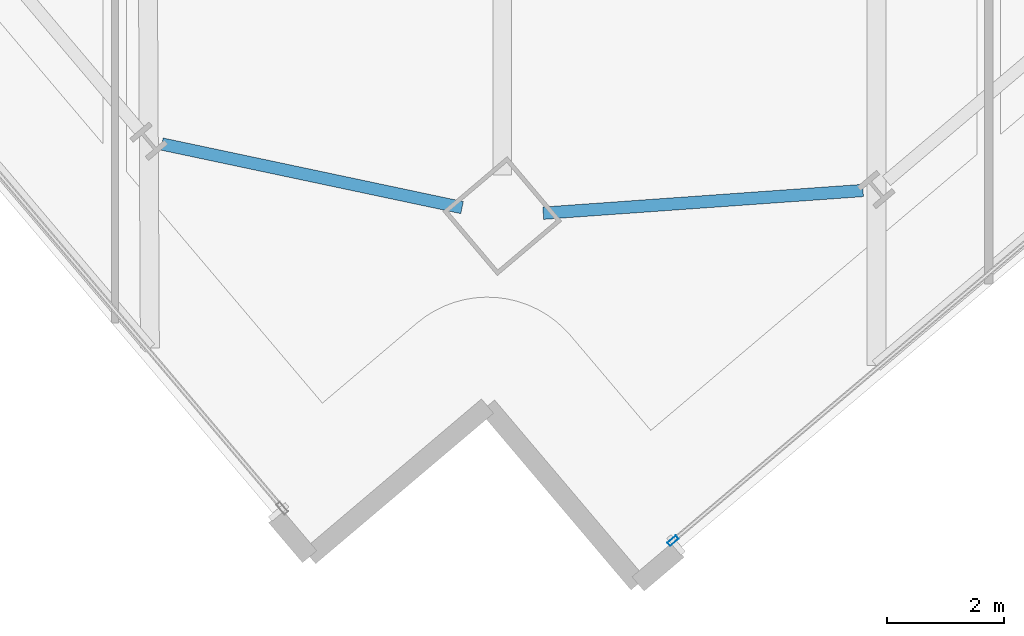
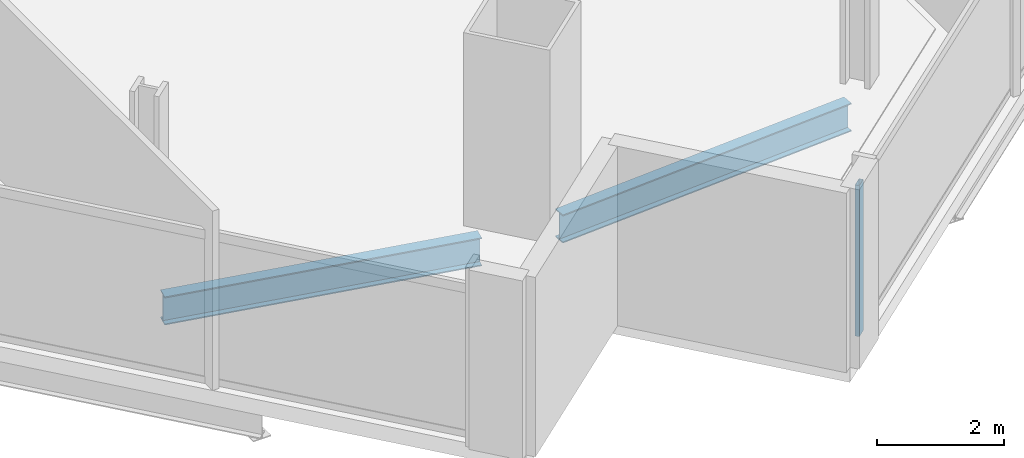
# One storey, part 3 of 34: 2 beams, 1 member, 1 element without a shape of its own.
"""IFC4 building model written with IfcOpenShell, lengths in metres."""

from ifc_helpers import new_model, si_unit, direction, frame, origin, origin_2d, place, context, subcontext, project, spatial, hollow_rectangle, i_section, extrude, material, material_profile, profile_set, type_object, element, aggregate, save


model = new_model("IFC4")

# Units and contexts
model_context = context("Model", 3, precision=1e-05, world=origin(), true_north=direction((0.0, 1.0)))
body_context = subcontext(model_context, "Body", "Model", "MODEL_VIEW")
ifc_project = project(units=[si_unit("LENGTHUNIT", "METRE"), si_unit("AREAUNIT", "SQUARE_METRE"), si_unit("VOLUMEUNIT", "CUBIC_METRE"), si_unit("PLANEANGLEUNIT", "RADIAN"), si_unit("MASSUNIT", "GRAM", prefix="KILO")], contexts=[model_context])

# Site, building, storey
site_placement = place(None, origin())
site = spatial("IfcSite", under=ifc_project, at=site_placement, CompositionType="ELEMENT")
building_placement = place(site_placement, origin())
building = spatial("IfcBuilding", under=site, at=building_placement, Name="Haldenkirk Collegiate Tower", CompositionType="ELEMENT")
storey_placement = place(building_placement, frame((0.0, 0.0, 163.199951171875)))
storey = spatial("IfcBuildingStorey", under=building, at=storey_placement, Name="L40", CompositionType="ELEMENT", Elevation=163.199951171875)

# Beams
ifc_material_1 = material(Name="Steel ASTM A992 Grade 50", Category="steel")
ifc_material_profile_1 = material_profile(ifc_material_1, i_section(OverallWidth=0.2119140625, OverallDepth=0.5439453125, WebThickness=0.01318359375, FlangeThickness=0.021240234375, at=origin_2d()), Name="W21X83")
ifc_profile_set_1 = profile_set([ifc_material_profile_1], Name="Steel ASTM A992 Grade 50")
beam_type = type_object("IfcBeamType", Name="BM-SPANDREL-W21X83", PredefinedType="SPANDREL", material=ifc_profile_set_1)
beam_1_placement = place(storey_placement, frame((33.852294921875, 0.707763671875, -0.56201171875), z_axis=(0.997489017738, 0.070821320891, 0.0), x_axis=(-0.070821320891, 0.997489017738, 0.0)))
element("IfcBeam", 1, at=beam_1_placement, inside=storey, type_object=beam_type, Name="L40 perimeter spandrel beam 01", PredefinedType="SPANDREL", context=body_context, shape_type="SweptSolid", body=[
    extrude(i_section(OverallWidth=0.2119140625, OverallDepth=0.5439453125, WebThickness=0.01318359375, FlangeThickness=0.021240234375, at=origin_2d()), origin(), (0.0, 0.0, 1.0), 5.501953125),
])
beam_2_placement = place(storey_placement, frame((27.306884765625, 1.89501953125, -0.56201171875), z_axis=(0.978307627668, -0.207157393416, 0.0), x_axis=(0.207157393416, 0.978307627668, 0.0)))
element("IfcBeam", 2, at=beam_2_placement, inside=storey, type_object=beam_type, Name="L40 perimeter spandrel beam 16", PredefinedType="SPANDREL", context=body_context, shape_type="SweptSolid", body=[
    extrude(i_section(OverallWidth=0.2119140625, OverallDepth=0.5439453125, WebThickness=0.01318359375, FlangeThickness=0.021240234375, at=origin_2d()), origin(), (0.0, 0.0, 1.0), 5.266845703125),
])

# Curtain wall, member
ifc_material_2 = material(Name="Anodised architectural bronze aluminium", Category="aluminium")
curtain_wall_type = type_object("IfcCurtainWallType", Name="CW-SYS2-CONCAVE", PredefinedType="USERDEFINED", material=ifc_material_2)
curtain_wall_placement = place(storey_placement, origin())
curtain_wall = element("IfcCurtainWall", 3, at=curtain_wall_placement, inside=storey, type_object=curtain_wall_type, Name="L40 South concave recessed bronze-anodised curtain wall", ObjectType="UNITISED CURTAIN WALL", PredefinedType="USERDEFINED")
ifc_material_profile_2 = material_profile(ifc_material_2, hollow_rectangle(XDim=0.074951171875, YDim=0.18994140625, WallThickness=0.0048828125, at=origin_2d()), Name="CW-MUL-02")
ifc_profile_set_2 = profile_set([ifc_material_profile_2], Name="Anodised architectural bronze aluminium")
member_type = type_object("IfcMemberType", Name="CW-MUL-02", PredefinedType="MULLION", material=ifc_profile_set_2)
member_placement = place(storey_placement, frame((36.079833984375, -4.91259765625, 0.0), z_axis=(0.0, 0.0, 1.0), x_axis=(0.646124454254, -0.763232067994, 0.0)))
member = element("IfcMember", 4, at=member_placement, type_object=member_type, Name="CW-02 mullion 5", PredefinedType="MULLION", context=body_context, shape_type="SweptSolid", body=[
    extrude(hollow_rectangle(XDim=0.074951171875, YDim=0.18994140625, WallThickness=0.0048828125, at=origin_2d()), origin(), (0.0, 0.0, 1.0), 2.9111328125),
])
aggregate(curtain_wall, [member])

save(model, "model.ifc")
